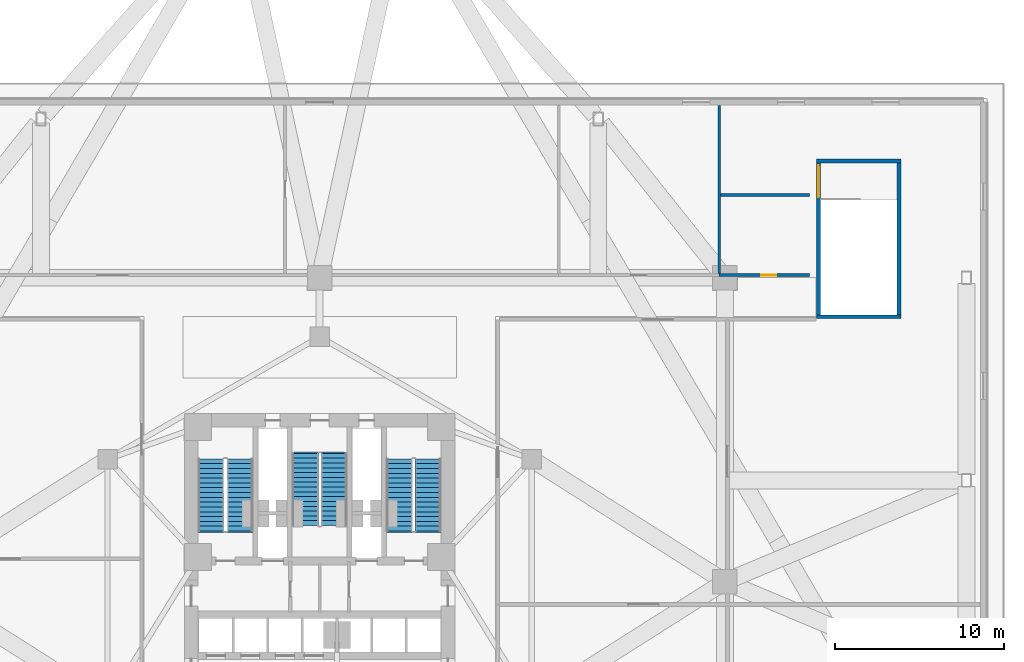
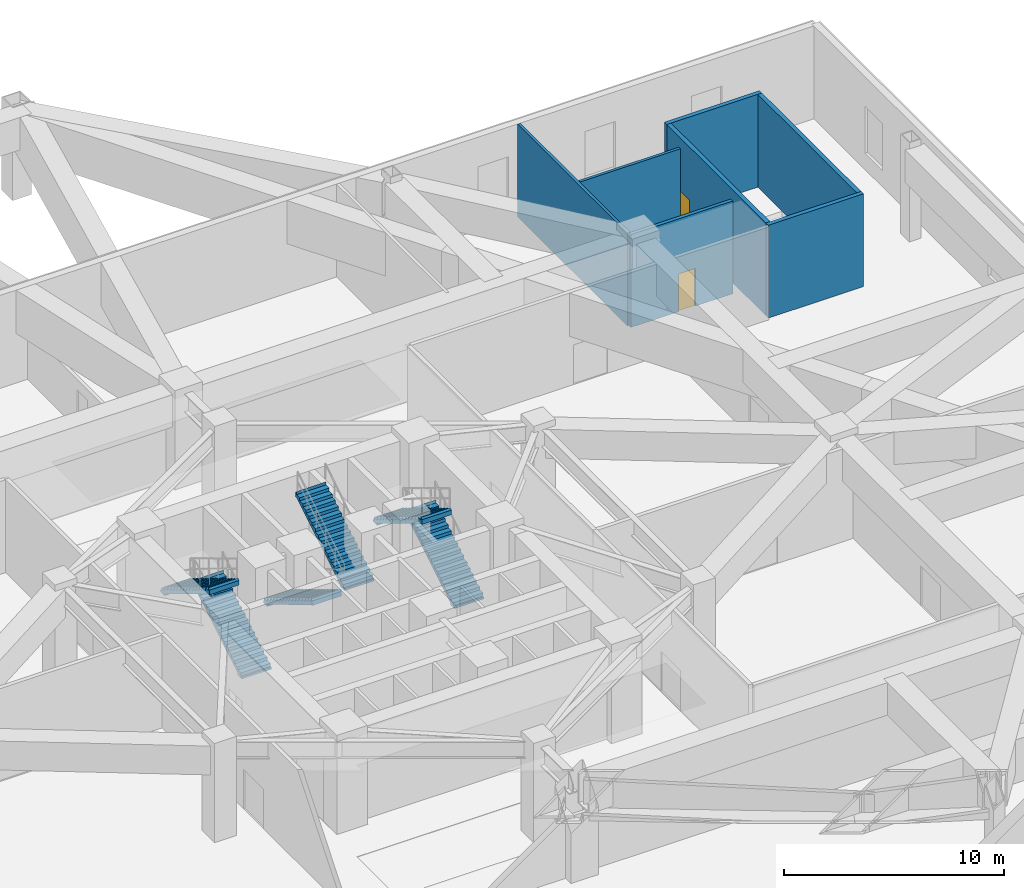
# One storey, part 10 of 15: 7 walls, 6 stair flights, 2 doors, 2 openings, 3 elements without a shape of their own.
"""IFC4 building model written with IfcOpenShell, lengths in metres."""

from ifc_helpers import new_model, si_unit, direction, frame, frame_2d, origin, place, context, subcontext, project, spatial, polyline, rectangle, outline, extrude, material, layer, layer_set, type_object, element, fill, aggregate, save


model = new_model("IFC4")

# Units and contexts
model_context = context("Model", 3, precision=1e-05, world=origin(), true_north=direction((0.0, 1.0)))
body_context = subcontext(model_context, "Body", "Model", "MODEL_VIEW")
ifc_project = project(units=[si_unit("LENGTHUNIT", "METRE"), si_unit("AREAUNIT", "SQUARE_METRE"), si_unit("VOLUMEUNIT", "CUBIC_METRE"), si_unit("PLANEANGLEUNIT", "RADIAN"), si_unit("MASSUNIT", "GRAM", prefix="KILO")], contexts=[model_context])

# Site, building, storey
site_placement = place(None, origin())
site = spatial("IfcSite", under=ifc_project, at=site_placement, CompositionType="ELEMENT")
building_placement = place(site_placement, origin())
building = spatial("IfcBuilding", under=site, at=building_placement, Name="Apsidion Concourse Tower", CompositionType="ELEMENT")
storey_placement = place(building_placement, frame((0.0, 0.0, 23.5)))
storey = spatial("IfcBuildingStorey", under=building, at=storey_placement, Name="L04", CompositionType="ELEMENT", Elevation=23.5)

# Walls
ifc_material_1 = material(Name="Gypsum plasterboard partition")
ifc_layer_1 = layer(ifc_material_1, 0.14990234375)
ifc_layer_set_1 = layer_set([ifc_layer_1], Name="Gypsum plasterboard partition")
wall_type_1 = type_object("IfcWallType", Name="WL-INT-PAR-150", PredefinedType="PARTITIONING", material=ifc_layer_set_1)
wall_1_placement = place(storey_placement, frame((23.64990234375, 18.25, 0.0), z_axis=(0.0, 0.0, 1.0), x_axis=(0.0, 1.0, 0.0)))
element("IfcWall", 1, at=wall_1_placement, inside=storey, type_object=wall_type_1, Name="L04 Interior Partition WL-L04-WCV2", PredefinedType="PARTITIONING", context=body_context, shape_type="SweptSolid", body=[
    extrude(rectangle(XDim=9.955078125, YDim=0.14990234375, at=frame_2d((4.9775390625, 0.0))), origin(), (0.0, 0.0, 1.0), 5.14990234375),
])
wall_2_placement = place(storey_placement, frame((23.75, 22.89990234375, 0.0), z_axis=(0.0, 0.0, 1.0), x_axis=(1.0, 0.0, 0.0)))
element("IfcWall", 2, at=wall_2_placement, inside=storey, type_object=wall_type_1, Name="L04 Interior Partition WL-L04-WC3", PredefinedType="PARTITIONING", context=body_context, shape_type="SweptSolid", body=[
    extrude(rectangle(XDim=5.25, YDim=0.14990234375, at=frame_2d((2.625, 0.0))), origin(), (0.0, 0.0, 1.0), 5.14990234375),
])

# Wall, opening, door
ifc_layer_2 = layer(ifc_material_1, 0.179931640625)
ifc_layer_set_2 = layer_set([ifc_layer_2], Name="Gypsum plasterboard partition")
wall_type_2 = type_object("IfcWallType", Name="WL-INT-PAR-180", PredefinedType="PARTITIONING", material=ifc_layer_set_2)
wall_3_placement = place(storey_placement, frame((23.64990234375, 18.14990234375, 0.0), z_axis=(0.0, 0.0, 1.0), x_axis=(1.0, 0.0, 0.0)))
wall_3 = element("IfcWall", 3, at=wall_3_placement, inside=storey, type_object=wall_type_2, Name="L04 Interior Partition WL-L04-WC2", PredefinedType="PARTITIONING", context=body_context, shape_type="SweptSolid", body=[
    extrude(rectangle(XDim=5.35009765625, YDim=0.179931640625, at=frame_2d((2.675048828125, 0.0))), origin(), (0.0, 0.0, 1.0), 5.14990234375),
])
opening_1_placement = place(wall_3_placement, frame((2.50244140625, 0.0, 0.0)))
opening_1 = element("IfcOpeningElement", 4, at=opening_1_placement, cuts=wall_3, Name="Opening D-03R", PredefinedType="OPENING", context=body_context, shape_type="SweptSolid", body=[
    extrude(rectangle(XDim=0.8798828125, YDim=2.10009765625, at=frame_2d((0.43994140625, 1.050048828125))), frame((0.0, 0.10009765625, 0.0), z_axis=(0.0, -1.0, 0.0), x_axis=(1.0, 0.0, 0.0)), (0.0, 0.0, 1.0), 0.199951171875),
])
ifc_material_2 = material(Name="Anodised aluminium EN AW-6063 T6", Category="aluminium")
door_type_1 = type_object("IfcDoorType", Name="DR-INT-D03R", OperationType="SINGLE_SWING_RIGHT", PredefinedType="DOOR", material=ifc_material_2)
door_1_placement = place(opening_1_placement, origin())
door_1 = element("IfcDoor", 5, at=door_1_placement, inside=storey, type_object=door_type_1, Name="L04 Convention Door WL-L04-WC2", OperationType="SINGLE_SWING_RIGHT", OverallHeight=2.10009765625, OverallWidth=0.8798828125, PredefinedType="DOOR", context=body_context, shape_type="SweptSolid", body=[
    extrude(rectangle(XDim=0.8798828125, YDim=2.10009765625, at=frame_2d((0.43994140625, 1.050048828125))), frame((0.0, 0.02490234375, 0.0), z_axis=(0.0, -1.0, 0.0), x_axis=(1.0, 0.0, 0.0)), (0.0, 0.0, 1.0), 0.050048828125),
])
fill(opening_1, door_1)

# Walls
ifc_material_3 = material(Name="Concrete C50/60", Category="concrete")
ifc_layer_3 = layer(ifc_material_3, 0.219970703125)
ifc_layer_set_3 = layer_set([ifc_layer_3], Name="Concrete C50/60")
wall_type_3 = type_object("IfcWallType", Name="WL-SH-220", PredefinedType="SHEAR", material=ifc_layer_set_3)
for number, where, z_axis, x_axis, name in (
    (6, (29.429931640625, 15.68994140625, 0.0), (0.0, 0.0, 1.0), (1.0, 0.0, 0.0), "L04 Podium Stair ST-P4 Core Shear Wall S"),
    (7, (29.429931640625, 24.909912109375, 0.0), (0.0, 0.0, 1.0), (1.0, 0.0, 0.0), "L04 Podium Stair ST-P4 Core Shear Wall N"),
):
    element("IfcWall", number, at=place(storey_placement, frame(where, z_axis=z_axis, x_axis=x_axis)), inside=storey, type_object=wall_type_3, Name=name, PredefinedType="SHEAR", context=body_context, shape_type="SweptSolid", body=[
        extrude(rectangle(XDim=4.989990234375, YDim=0.219970703125, at=frame_2d((2.4951171875, 0.0))), origin(), (0.0, 0.0, 1.0), 5.14990234375),
    ])

# Wall, opening, door
wall_4_placement = place(storey_placement, frame((29.5400390625, 15.800048828125, 0.0), z_axis=(0.0, 0.0, 1.0), x_axis=(0.0, 1.0, 0.0)))
wall_4 = element("IfcWall", 8, at=wall_4_placement, inside=storey, type_object=wall_type_3, Name="L04 Podium Stair ST-P4 Core Shear Wall W", PredefinedType="SHEAR", context=body_context, shape_type="SweptSolid", body=[
    extrude(rectangle(XDim=9.0, YDim=0.219970703125, at=frame_2d((4.5, 0.0))), origin(), (0.0, 0.0, 1.0), 5.14990234375),
])
opening_2_placement = place(wall_4_placement, frame((6.9599609375, 0.0, 0.0)))
opening_2 = element("IfcOpeningElement", 9, at=opening_2_placement, cuts=wall_4, Name="Opening D-07D", PredefinedType="OPENING", context=body_context, shape_type="SweptSolid", body=[
    extrude(rectangle(XDim=1.89990234375, YDim=2.199951171875, at=frame_2d((0.949951171875, 1.10009765625))), frame((0.0, 0.1201171875, 0.0), z_axis=(0.0, -1.0, 0.0), x_axis=(1.0, 0.0, 0.0)), (0.0, 0.0, 1.0), 0.239990234375),
])
ifc_material_4 = material(Name="Brushed stainless steel 316", Category="steel")
door_type_2 = type_object("IfcDoorType", Name="DR-INT-D07D", OperationType="DOUBLE_DOOR_SINGLE_SWING", PredefinedType="DOOR", material=ifc_material_4)
door_2_placement = place(opening_2_placement, origin())
door_2 = element("IfcDoor", 10, at=door_2_placement, inside=storey, type_object=door_type_2, Name="L04 Podium Exit Stair ST-P4 Entry Door", OperationType="DOUBLE_DOOR_SINGLE_SWING", OverallHeight=2.199951171875, OverallWidth=1.89990234375, PredefinedType="DOOR", context=body_context, shape_type="SweptSolid", body=[
    extrude(rectangle(XDim=1.89990234375, YDim=2.199951171875, at=frame_2d((0.949951171875, 1.10009765625))), frame((0.0, 0.02490234375, 0.0), z_axis=(0.0, -1.0, 0.0), x_axis=(1.0, 0.0, 0.0)), (0.0, 0.0, 1.0), 0.050048828125),
])
fill(opening_2, door_2)

# Wall
wall_5_placement = place(storey_placement, frame((34.31005859375, 15.800048828125, 0.0), z_axis=(0.0, 0.0, 1.0), x_axis=(0.0, 1.0, 0.0)))
element("IfcWall", 11, at=wall_5_placement, inside=storey, type_object=wall_type_3, Name="L04 Podium Stair ST-P4 Core Shear Wall E", PredefinedType="SHEAR", context=body_context, shape_type="SweptSolid", body=[
    extrude(rectangle(XDim=9.0, YDim=0.219970703125, at=frame_2d((4.5, 0.0))), origin(), (0.0, 0.0, 1.0), 5.14990234375),
])

# Stair, stair flights
ifc_material_5 = material(Name="Precast concrete C40/50", Category="concrete")
stair_type = type_object("IfcStairType", Name="ST-DL-1550", PredefinedType="HALF_TURN_STAIR", material=ifc_material_5)
stair_1_placement = place(storey_placement, origin())
stair_1 = element("IfcStair", 12, at=stair_1_placement, inside=storey, type_object=stair_type, Name="L04 Protected Core Exit Stair ST1", PredefinedType="HALF_TURN_STAIR")
stair_flight_type = type_object("IfcStairFlightType", Name="SFL-RC-1550", PredefinedType="STRAIGHT", material=ifc_material_5)
stair_flight_1_placement = place(storey_placement, frame((-4.72509765625, 3.0, 0.0), z_axis=(0.0, 0.0, 1.0), x_axis=(0.0, 1.0, 0.0)))
stair_flight_1 = element("IfcStairFlight", 13, at=stair_flight_1_placement, type_object=stair_flight_type, Name="ST1 flight 1", NumberOfRisers=16, NumberOfTreads=15, PredefinedType="STRAIGHT", RiserHeight=0.171875, TreadLength=0.285, context=body_context, shape_type="SweptSolid", body=[
    extrude(outline(polyline([(-0.080078125, -0.1123046875), (-0.080078125, 0.0), (0.0, 0.0), (0.0, 0.171875), (0.284912109375, 0.171875), (0.284912109375, 0.34375), (0.570068359375, 0.34375), (0.570068359375, 0.515625), (0.85498046875, 0.515625), (0.85498046875, 0.6875), (1.139892578125, 0.6875), (1.139892578125, 0.859375), (1.425048828125, 0.859375), (1.425048828125, 1.03125), (1.7099609375, 1.03125), (1.7099609375, 1.203125), (1.9951171875, 1.203125), (1.9951171875, 1.375), (2.280029296875, 1.375), (2.280029296875, 1.546875), (2.56494140625, 1.546875), (2.56494140625, 1.71875), (2.85009765625, 1.71875), (2.85009765625, 1.890625), (3.135009765625, 1.890625), (3.135009765625, 2.0625), (3.419921875, 2.0625), (3.419921875, 2.234375), (3.705078125, 2.234375), (3.705078125, 2.40625), (3.989990234375, 2.40625), (3.989990234375, 2.578125), (4.27490234375, 2.578125), (4.27490234375, 2.75), (4.35498046875, 2.6640625), (4.35498046875, 2.403076171875), (4.27490234375, 2.403076171875), (0.290283203125, 0.0), (0.290283203125, -0.1123046875), (-0.080078125, -0.1123046875)])), frame((0.0, 0.77490234375, 0.0), z_axis=(0.0, -1.0, 0.0), x_axis=(1.0, 0.0, 0.0)), (0.0, 0.0, 1.0), 1.550048828125),
])
stair_flight_2_placement = place(storey_placement, frame((-6.425048828125, 7.27490234375, 2.75), z_axis=(0.0, 0.0, 1.0), x_axis=(0.0, -1.0, 0.0)))
stair_flight_2 = element("IfcStairFlight", 14, at=stair_flight_2_placement, type_object=stair_flight_type, Name="ST1 flight 2", NumberOfRisers=16, NumberOfTreads=15, PredefinedType="STRAIGHT", RiserHeight=0.171875, TreadLength=0.285, context=body_context, shape_type="SweptSolid", body=[
    extrude(outline(polyline([(-0.080078125, -0.1123046875), (-0.080078125, 0.0), (0.0, 0.0), (0.0, 0.171875), (0.284912109375, 0.171875), (0.284912109375, 0.34375), (0.570068359375, 0.34375), (0.570068359375, 0.515625), (0.85498046875, 0.515625), (0.85498046875, 0.6875), (1.139892578125, 0.6875), (1.139892578125, 0.859375), (1.425048828125, 0.859375), (1.425048828125, 1.03125), (1.7099609375, 1.03125), (1.7099609375, 1.203125), (1.9951171875, 1.203125), (1.9951171875, 1.375), (2.280029296875, 1.375), (2.280029296875, 1.546875), (2.56494140625, 1.546875), (2.56494140625, 1.71875), (2.85009765625, 1.71875), (2.85009765625, 1.890625), (3.135009765625, 1.890625), (3.135009765625, 2.0625), (3.419921875, 2.0625), (3.419921875, 2.234375), (3.705078125, 2.234375), (3.705078125, 2.40625), (3.989990234375, 2.40625), (3.989990234375, 2.578125), (4.27490234375, 2.578125), (4.27490234375, 2.75), (4.35498046875, 2.6640625), (4.35498046875, 2.403076171875), (4.27490234375, 2.403076171875), (0.290283203125, 0.0), (0.290283203125, -0.1123046875), (-0.080078125, -0.1123046875)])), frame((0.0, 0.77490234375, 0.0), z_axis=(0.0, -1.0, 0.0), x_axis=(1.0, 0.0, 0.0)), (0.0, 0.0, 1.0), 1.550048828125),
])
aggregate(stair_1, [stair_flight_1, stair_flight_2])

stair_2_placement = place(storey_placement, origin())
stair_2 = element("IfcStair", 15, at=stair_2_placement, inside=storey, type_object=stair_type, Name="L04 Protected Core Exit Stair ST2", PredefinedType="HALF_TURN_STAIR")
stair_flight_3_placement = place(storey_placement, frame((6.425048828125, 3.0, 0.0), z_axis=(0.0, 0.0, 1.0), x_axis=(0.0, 1.0, 0.0)))
stair_flight_3 = element("IfcStairFlight", 16, at=stair_flight_3_placement, type_object=stair_flight_type, Name="ST2 flight 1", NumberOfRisers=16, NumberOfTreads=15, PredefinedType="STRAIGHT", RiserHeight=0.171875, TreadLength=0.285, context=body_context, shape_type="SweptSolid", body=[
    extrude(outline(polyline([(-0.080078125, -0.1123046875), (-0.080078125, 0.0), (0.0, 0.0), (0.0, 0.171875), (0.284912109375, 0.171875), (0.284912109375, 0.34375), (0.570068359375, 0.34375), (0.570068359375, 0.515625), (0.85498046875, 0.515625), (0.85498046875, 0.6875), (1.139892578125, 0.6875), (1.139892578125, 0.859375), (1.425048828125, 0.859375), (1.425048828125, 1.03125), (1.7099609375, 1.03125), (1.7099609375, 1.203125), (1.9951171875, 1.203125), (1.9951171875, 1.375), (2.280029296875, 1.375), (2.280029296875, 1.546875), (2.56494140625, 1.546875), (2.56494140625, 1.71875), (2.85009765625, 1.71875), (2.85009765625, 1.890625), (3.135009765625, 1.890625), (3.135009765625, 2.0625), (3.419921875, 2.0625), (3.419921875, 2.234375), (3.705078125, 2.234375), (3.705078125, 2.40625), (3.989990234375, 2.40625), (3.989990234375, 2.578125), (4.27490234375, 2.578125), (4.27490234375, 2.75), (4.35498046875, 2.6640625), (4.35498046875, 2.403076171875), (4.27490234375, 2.403076171875), (0.290283203125, 0.0), (0.290283203125, -0.1123046875), (-0.080078125, -0.1123046875)])), frame((0.0, 0.77490234375, 0.0), z_axis=(0.0, -1.0, 0.0), x_axis=(1.0, 0.0, 0.0)), (0.0, 0.0, 1.0), 1.550048828125),
])
stair_flight_4_placement = place(storey_placement, frame((4.72509765625, 7.27490234375, 2.75), z_axis=(0.0, 0.0, 1.0), x_axis=(0.0, -1.0, 0.0)))
stair_flight_4 = element("IfcStairFlight", 17, at=stair_flight_4_placement, type_object=stair_flight_type, Name="ST2 flight 2", NumberOfRisers=16, NumberOfTreads=15, PredefinedType="STRAIGHT", RiserHeight=0.171875, TreadLength=0.285, context=body_context, shape_type="SweptSolid", body=[
    extrude(outline(polyline([(-0.080078125, -0.1123046875), (-0.080078125, 0.0), (0.0, 0.0), (0.0, 0.171875), (0.284912109375, 0.171875), (0.284912109375, 0.34375), (0.570068359375, 0.34375), (0.570068359375, 0.515625), (0.85498046875, 0.515625), (0.85498046875, 0.6875), (1.139892578125, 0.6875), (1.139892578125, 0.859375), (1.425048828125, 0.859375), (1.425048828125, 1.03125), (1.7099609375, 1.03125), (1.7099609375, 1.203125), (1.9951171875, 1.203125), (1.9951171875, 1.375), (2.280029296875, 1.375), (2.280029296875, 1.546875), (2.56494140625, 1.546875), (2.56494140625, 1.71875), (2.85009765625, 1.71875), (2.85009765625, 1.890625), (3.135009765625, 1.890625), (3.135009765625, 2.0625), (3.419921875, 2.0625), (3.419921875, 2.234375), (3.705078125, 2.234375), (3.705078125, 2.40625), (3.989990234375, 2.40625), (3.989990234375, 2.578125), (4.27490234375, 2.578125), (4.27490234375, 2.75), (4.35498046875, 2.6640625), (4.35498046875, 2.403076171875), (4.27490234375, 2.403076171875), (0.290283203125, 0.0), (0.290283203125, -0.1123046875), (-0.080078125, -0.1123046875)])), frame((0.0, 0.77490234375, 0.0), z_axis=(0.0, -1.0, 0.0), x_axis=(1.0, 0.0, 0.0)), (0.0, 0.0, 1.0), 1.550048828125),
])
aggregate(stair_2, [stair_flight_3, stair_flight_4])

stair_3_placement = place(storey_placement, origin())
stair_3 = element("IfcStair", 18, at=stair_3_placement, inside=storey, type_object=stair_type, Name="L04 Protected Core Exit Stair ST3", PredefinedType="HALF_TURN_STAIR")
stair_flight_5_placement = place(storey_placement, frame((-0.85009765625, 7.60009765625, 0.0), z_axis=(0.0, 0.0, 1.0), x_axis=(0.0, -1.0, 0.0)))
stair_flight_5 = element("IfcStairFlight", 19, at=stair_flight_5_placement, type_object=stair_flight_type, Name="ST3 flight 1", NumberOfRisers=16, NumberOfTreads=15, PredefinedType="STRAIGHT", RiserHeight=0.171875, TreadLength=0.285, context=body_context, shape_type="SweptSolid", body=[
    extrude(outline(polyline([(-0.080078125, -0.1123046875), (-0.080078125, 0.0), (0.0, 0.0), (0.0, 0.171875), (0.284912109375, 0.171875), (0.284912109375, 0.34375), (0.570068359375, 0.34375), (0.570068359375, 0.515625), (0.85498046875, 0.515625), (0.85498046875, 0.6875), (1.139892578125, 0.6875), (1.139892578125, 0.859375), (1.425048828125, 0.859375), (1.425048828125, 1.03125), (1.7099609375, 1.03125), (1.7099609375, 1.203125), (1.9951171875, 1.203125), (1.9951171875, 1.375), (2.280029296875, 1.375), (2.280029296875, 1.546875), (2.56494140625, 1.546875), (2.56494140625, 1.71875), (2.85009765625, 1.71875), (2.85009765625, 1.890625), (3.135009765625, 1.890625), (3.135009765625, 2.0625), (3.419921875, 2.0625), (3.419921875, 2.234375), (3.705078125, 2.234375), (3.705078125, 2.40625), (3.989990234375, 2.40625), (3.989990234375, 2.578125), (4.27490234375, 2.578125), (4.27490234375, 2.75), (4.35498046875, 2.6640625), (4.35498046875, 2.403076171875), (4.27490234375, 2.403076171875), (0.290283203125, 0.0), (0.290283203125, -0.1123046875), (-0.080078125, -0.1123046875)])), frame((0.0, 0.77490234375, 0.0), z_axis=(0.0, -1.0, 0.0), x_axis=(1.0, 0.0, 0.0)), (0.0, 0.0, 1.0), 1.550048828125),
])
stair_flight_6_placement = place(storey_placement, frame((0.85009765625, 3.324951171875, 2.75), z_axis=(0.0, 0.0, 1.0), x_axis=(0.0, 1.0, 0.0)))
stair_flight_6 = element("IfcStairFlight", 20, at=stair_flight_6_placement, type_object=stair_flight_type, Name="ST3 flight 2", NumberOfRisers=16, NumberOfTreads=15, PredefinedType="STRAIGHT", RiserHeight=0.171875, TreadLength=0.285, context=body_context, shape_type="SweptSolid", body=[
    extrude(outline(polyline([(-0.080078125, -0.1123046875), (-0.080078125, 0.0), (0.0, 0.0), (0.0, 0.171875), (0.284912109375, 0.171875), (0.284912109375, 0.34375), (0.570068359375, 0.34375), (0.570068359375, 0.515625), (0.85498046875, 0.515625), (0.85498046875, 0.6875), (1.139892578125, 0.6875), (1.139892578125, 0.859375), (1.425048828125, 0.859375), (1.425048828125, 1.03125), (1.7099609375, 1.03125), (1.7099609375, 1.203125), (1.9951171875, 1.203125), (1.9951171875, 1.375), (2.280029296875, 1.375), (2.280029296875, 1.546875), (2.56494140625, 1.546875), (2.56494140625, 1.71875), (2.85009765625, 1.71875), (2.85009765625, 1.890625), (3.135009765625, 1.890625), (3.135009765625, 2.0625), (3.419921875, 2.0625), (3.419921875, 2.234375), (3.705078125, 2.234375), (3.705078125, 2.40625), (3.989990234375, 2.40625), (3.989990234375, 2.578125), (4.27490234375, 2.578125), (4.27490234375, 2.75), (4.35498046875, 2.6640625), (4.35498046875, 2.403076171875), (4.27490234375, 2.403076171875), (0.290283203125, 0.0), (0.290283203125, -0.1123046875), (-0.080078125, -0.1123046875)])), frame((0.0, 0.77490234375, 0.0), z_axis=(0.0, -1.0, 0.0), x_axis=(1.0, 0.0, 0.0)), (0.0, 0.0, 1.0), 1.550048828125),
])
aggregate(stair_3, [stair_flight_5, stair_flight_6])

save(model, "model.ifc")
